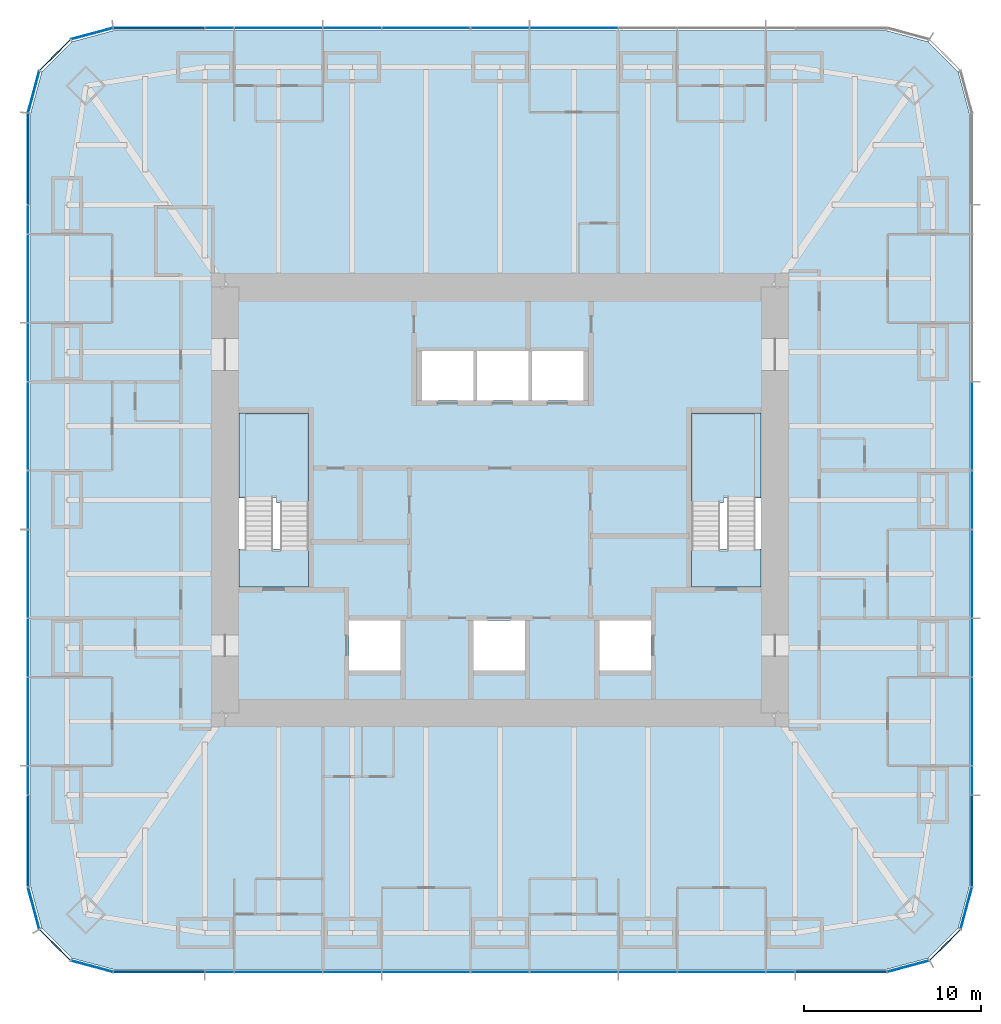
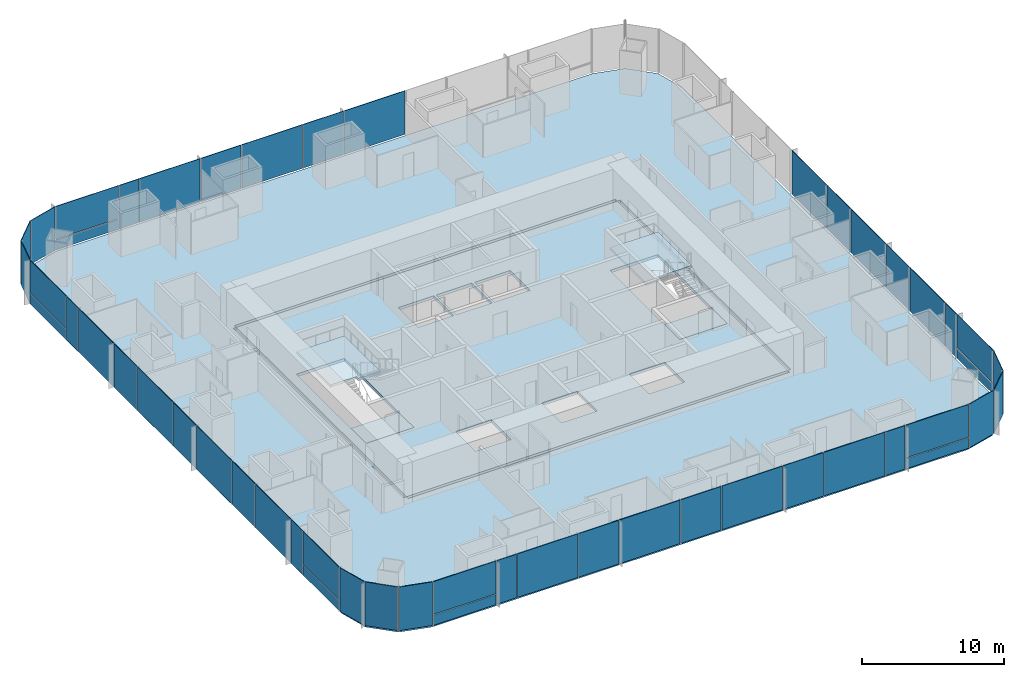
# One storey, part 7 of 12: 51 plates, 6 slabs, 9 elements without a shape of their own.
"""IFC4 building model written with IfcOpenShell, lengths in metres."""

from ifc_helpers import new_model, si_unit, direction, frame, origin, origin_2d, place, context, subcontext, project, spatial, polyline, rectangle, outline, extrude, material, layer, layer_set, type_object, element, aggregate, save


model = new_model("IFC4")

# Units and contexts
model_context = context("Model", 3, precision=1e-05, world=origin(), true_north=direction((0.0, 1.0)))
body_context = subcontext(model_context, "Body", "Model", "MODEL_VIEW")
ifc_project = project(units=[si_unit("LENGTHUNIT", "METRE"), si_unit("AREAUNIT", "SQUARE_METRE"), si_unit("VOLUMEUNIT", "CUBIC_METRE"), si_unit("PLANEANGLEUNIT", "RADIAN"), si_unit("MASSUNIT", "GRAM", prefix="KILO")], contexts=[model_context])

# Site, building, storey
site_placement = place(None, origin())
site = spatial("IfcSite", under=ifc_project, at=site_placement, CompositionType="ELEMENT")
building_placement = place(site_placement, origin())
building = spatial("IfcBuilding", under=site, at=building_placement, Name="Khuree Lantern Residences", CompositionType="ELEMENT")
storey_placement = place(building_placement, frame((0.0, 0.0, 203.25)))
storey = spatial("IfcBuildingStorey", under=building, at=storey_placement, Name="L50", CompositionType="ELEMENT", Elevation=203.25)

# Slab
ifc_material_1 = material(Name="Concrete C35/45", Category="concrete")
ifc_layer_1 = layer(ifc_material_1, 0.25)
ifc_layer_set_1 = layer_set([ifc_layer_1], Name="CFL250 CORE FLOOR SLAB 250")
slab_type_1 = type_object("IfcSlabType", Name="CFL250 CORE FLOOR SLAB 250", PredefinedType="FLOOR", material=ifc_layer_set_1)
slab_1_placement = place(storey_placement, frame((0.0, 0.0, -0.25)))
element("IfcSlab", 1, at=slab_1_placement, inside=storey, type_object=slab_type_1, Name="Core floor L50", PredefinedType="FLOOR", context=body_context, shape_type="SweptSolid", body=[
    extrude(outline(polyline([(-15.5, -12.0), (-15.5, 12.0), (15.5, 12.0), (15.5, -12.0), (-15.5, -12.0)]), holes=[polyline([(10.800048828125, 4.89990234375), (10.800048828125, -4.89990234375), (14.699951171875, -4.89990234375), (14.699951171875, 4.89990234375), (10.800048828125, 4.89990234375)]), polyline([(5.60009765625, -6.800048828125), (5.60009765625, -9.60009765625), (8.5, -9.60009765625), (8.5, -6.800048828125), (5.60009765625, -6.800048828125)]), polyline([(1.800048828125, 8.39990234375), (1.800048828125, 5.60009765625), (4.699951171875, 5.60009765625), (4.699951171875, 8.39990234375), (1.800048828125, 8.39990234375)]), polyline([(-1.300048828125, 8.39990234375), (-1.300048828125, 5.60009765625), (1.60009765625, 5.60009765625), (1.60009765625, 8.39990234375), (-1.300048828125, 8.39990234375)]), polyline([(-1.5, -6.800048828125), (-1.5, -9.60009765625), (1.39990234375, -9.60009765625), (1.39990234375, -6.800048828125), (-1.5, -6.800048828125)]), polyline([(-4.39990234375, 8.39990234375), (-4.39990234375, 5.60009765625), (-1.5, 5.60009765625), (-1.5, 8.39990234375), (-4.39990234375, 8.39990234375)]), polyline([(-8.5, -6.800048828125), (-8.5, -9.60009765625), (-5.60009765625, -9.60009765625), (-5.60009765625, -6.800048828125), (-8.5, -6.800048828125)]), polyline([(-14.699951171875, 4.89990234375), (-14.699951171875, -4.89990234375), (-10.800048828125, -4.89990234375), (-10.800048828125, 4.89990234375), (-14.699951171875, 4.89990234375)])]), origin(), (0.0, 0.0, 1.0), 0.25),
])

# Curtain wall, plates
ifc_material_2 = material(Name="Bronze anodised aluminium", Category="aluminium")
curtain_wall_type_1 = type_object("IfcCurtainWallType", Name="CW-T2 TOWER CORNER CURTAIN WALL", PredefinedType="USERDEFINED", material=ifc_material_2)
curtain_wall_1_placement = place(storey_placement, origin())
curtain_wall_1 = element("IfcCurtainWall", 2, at=curtain_wall_1_placement, inside=storey, type_object=curtain_wall_type_1, Name="L50 SOUTH-EAST CORNER CURTAIN WALL", ObjectType="Faceted corner curtain wall", PredefinedType="USERDEFINED")
ifc_material_3 = material(Name="Bronze tinted triple glazing", Category="glass")
ifc_layer_2 = layer(ifc_material_3, 0.048095703125)
ifc_layer_set_2 = layer_set([ifc_layer_2], Name="FACET PANEL P4")
plate_type_1 = type_object("IfcPlateType", Name="FACET PANEL P4", PredefinedType="CURTAIN_PANEL", material=ifc_layer_set_2)
plate_1_placement = place(storey_placement, frame((22.998046875, -26.279052734375, 0.0), z_axis=(0.0, 0.0, 1.0), x_axis=(0.965925832509, 0.258819021888, 0.0)))
plate_1 = element("IfcPlate", 3, at=plate_1_placement, type_object=plate_type_1, Name="L50 SOUTH-EAST CORNER PANEL 1.1", PredefinedType="CURTAIN_PANEL", context=body_context, shape_type="SweptSolid", body=[
    extrude(rectangle(XDim=2.40869140625, YDim=0.048095703125, at=origin_2d()), origin(), (0.0, 0.0, 1.0), 3.75),
])
plate_2_placement = place(storey_placement, frame((25.078369140625, -25.078369140625, 0.0), z_axis=(0.0, 0.0, 1.0), x_axis=(0.707106781187, 0.707106781187, 0.0)))
plate_2 = element("IfcPlate", 4, at=plate_2_placement, type_object=plate_type_1, Name="L50 SOUTH-EAST CORNER PANEL 2.1", PredefinedType="CURTAIN_PANEL", context=body_context, shape_type="SweptSolid", body=[
    extrude(rectangle(XDim=2.404541015625, YDim=0.048095703125, at=origin_2d()), origin(), (0.0, 0.0, 1.0), 3.75),
])
plate_3_placement = place(storey_placement, frame((26.279052734375, -22.998046875, 0.0), z_axis=(0.0, 0.0, 1.0), x_axis=(0.258819021888, 0.965925832509, 0.0)))
plate_3 = element("IfcPlate", 5, at=plate_3_placement, type_object=plate_type_1, Name="L50 SOUTH-EAST CORNER PANEL 3.1", PredefinedType="CURTAIN_PANEL", context=body_context, shape_type="SweptSolid", body=[
    extrude(rectangle(XDim=2.40869140625, YDim=0.048095703125, at=origin_2d()), origin(), (0.0, 0.0, 1.0), 3.75),
])
aggregate(curtain_wall_1, [plate_1, plate_2, plate_3])

curtain_wall_2_placement = place(storey_placement, origin())
curtain_wall_2 = element("IfcCurtainWall", 6, at=curtain_wall_2_placement, inside=storey, type_object=curtain_wall_type_1, Name="L50 NORTH-WEST CORNER CURTAIN WALL", ObjectType="Faceted corner curtain wall", PredefinedType="USERDEFINED")
plate_4_placement = place(storey_placement, frame((-22.998046875, 26.279052734375, 0.0), z_axis=(0.0, 0.0, 1.0), x_axis=(-0.965925832509, -0.258819021888, 0.0)))
plate_4 = element("IfcPlate", 7, at=plate_4_placement, type_object=plate_type_1, Name="L50 NORTH-WEST CORNER PANEL 29.1", PredefinedType="CURTAIN_PANEL", context=body_context, shape_type="SweptSolid", body=[
    extrude(rectangle(XDim=2.40869140625, YDim=0.048095703125, at=origin_2d()), origin(), (0.0, 0.0, 1.0), 3.75),
])
plate_5_placement = place(storey_placement, frame((-25.078369140625, 25.078369140625, 0.0), z_axis=(0.0, 0.0, 1.0), x_axis=(-0.707106781187, -0.707106781187, 0.0)))
plate_5 = element("IfcPlate", 8, at=plate_5_placement, type_object=plate_type_1, Name="L50 NORTH-WEST CORNER PANEL 30.1", PredefinedType="CURTAIN_PANEL", context=body_context, shape_type="SweptSolid", body=[
    extrude(rectangle(XDim=2.404541015625, YDim=0.048095703125, at=origin_2d()), origin(), (0.0, 0.0, 1.0), 3.75),
])
plate_6_placement = place(storey_placement, frame((-26.279052734375, 22.998046875, 0.0), z_axis=(0.0, 0.0, 1.0), x_axis=(-0.258819021888, -0.965925832509, 0.0)))
plate_6 = element("IfcPlate", 9, at=plate_6_placement, type_object=plate_type_1, Name="L50 NORTH-WEST CORNER PANEL 31.1", PredefinedType="CURTAIN_PANEL", context=body_context, shape_type="SweptSolid", body=[
    extrude(rectangle(XDim=2.40869140625, YDim=0.048095703125, at=origin_2d()), origin(), (0.0, 0.0, 1.0), 3.75),
])
aggregate(curtain_wall_2, [plate_4, plate_5, plate_6])

curtain_wall_3_placement = place(storey_placement, origin())
curtain_wall_3 = element("IfcCurtainWall", 10, at=curtain_wall_3_placement, inside=storey, type_object=curtain_wall_type_1, Name="L50 SOUTH-WEST CORNER CURTAIN WALL", ObjectType="Faceted corner curtain wall", PredefinedType="USERDEFINED")
plate_7_placement = place(storey_placement, frame((-26.279052734375, -22.998046875, 0.0), z_axis=(0.0, 0.0, 1.0), x_axis=(0.258819021888, -0.965925832509, 0.0)))
plate_7 = element("IfcPlate", 11, at=plate_7_placement, type_object=plate_type_1, Name="L50 SOUTH-WEST CORNER PANEL 43.1", PredefinedType="CURTAIN_PANEL", context=body_context, shape_type="SweptSolid", body=[
    extrude(rectangle(XDim=2.40869140625, YDim=0.048095703125, at=origin_2d()), origin(), (0.0, 0.0, 1.0), 3.75),
])
plate_8_placement = place(storey_placement, frame((-25.078369140625, -25.078369140625, 0.0), z_axis=(0.0, 0.0, 1.0), x_axis=(0.707106781187, -0.707106781187, 0.0)))
plate_8 = element("IfcPlate", 12, at=plate_8_placement, type_object=plate_type_1, Name="L50 SOUTH-WEST CORNER PANEL 44.1", PredefinedType="CURTAIN_PANEL", context=body_context, shape_type="SweptSolid", body=[
    extrude(rectangle(XDim=2.404541015625, YDim=0.048095703125, at=origin_2d()), origin(), (0.0, 0.0, 1.0), 3.75),
])
plate_9_placement = place(storey_placement, frame((-22.998046875, -26.279052734375, 0.0), z_axis=(0.0, 0.0, 1.0), x_axis=(0.965925832509, -0.258819021888, 0.0)))
plate_9 = element("IfcPlate", 13, at=plate_9_placement, type_object=plate_type_1, Name="L50 SOUTH-WEST CORNER PANEL 45.1", PredefinedType="CURTAIN_PANEL", context=body_context, shape_type="SweptSolid", body=[
    extrude(rectangle(XDim=2.40869140625, YDim=0.048095703125, at=origin_2d()), origin(), (0.0, 0.0, 1.0), 3.75),
])
aggregate(curtain_wall_3, [plate_7, plate_8, plate_9])

curtain_wall_type_2 = type_object("IfcCurtainWallType", Name="CW-T1 TOWER FACE CURTAIN WALL", PredefinedType="USERDEFINED", material=ifc_material_2)
curtain_wall_4_placement = place(storey_placement, origin())
curtain_wall_4 = element("IfcCurtainWall", 14, at=curtain_wall_4_placement, inside=storey, type_object=curtain_wall_type_2, Name="L50 EAST FACE CURTAIN WALL", ObjectType="Stick-built curtain wall", PredefinedType="USERDEFINED")
ifc_material_4 = material(Name="Bronze tinted triple glazing with a ceramic-fritted spandrel band", Category="glass")
ifc_layer_3 = layer(ifc_material_4, 0.048095703125)
ifc_layer_set_3 = layer_set([ifc_layer_3], Name="FIXED LIGHT PANEL P11")
plate_type_2 = type_object("IfcPlateType", Name="FIXED LIGHT PANEL P11", PredefinedType="CURTAIN_PANEL", material=ifc_layer_set_3)
plate_10_placement = place(storey_placement, frame((26.60009765625, -12.47998046875, 0.0), z_axis=(0.0, 0.0, 1.0), x_axis=(0.0, 1.0, 0.0)))
plate_10 = element("IfcPlate", 15, at=plate_10_placement, type_object=plate_type_2, Name="L50 EAST FACE PANEL 6.1", PredefinedType="CURTAIN_PANEL", context=body_context, shape_type="SweptSolid", body=[
    extrude(rectangle(XDim=4.927001953125, YDim=0.048095703125, at=origin_2d()), origin(), (0.0, 0.0, 1.0), 3.75),
])
plate_11_placement = place(storey_placement, frame((26.60009765625, -4.159912109375, 0.0), z_axis=(0.0, 0.0, 1.0), x_axis=(0.0, 1.0, 0.0)))
plate_11 = element("IfcPlate", 16, at=plate_11_placement, type_object=plate_type_2, Name="L50 EAST FACE PANEL 8.1", PredefinedType="CURTAIN_PANEL", context=body_context, shape_type="SweptSolid", body=[
    extrude(rectangle(XDim=4.927001953125, YDim=0.048095703125, at=origin_2d()), origin(), (0.0, 0.0, 1.0), 3.75),
])
plate_12_placement = place(storey_placement, frame((26.60009765625, 4.159912109375, 0.0), z_axis=(0.0, 0.0, 1.0), x_axis=(0.0, 1.0, 0.0)))
plate_12 = element("IfcPlate", 17, at=plate_12_placement, type_object=plate_type_2, Name="L50 EAST FACE PANEL 10.1", PredefinedType="CURTAIN_PANEL", context=body_context, shape_type="SweptSolid", body=[
    extrude(rectangle(XDim=4.927001953125, YDim=0.048095703125, at=origin_2d()), origin(), (0.0, 0.0, 1.0), 3.75),
])

curtain_wall_5_placement = place(storey_placement, origin())
curtain_wall_5 = element("IfcCurtainWall", 18, at=curtain_wall_5_placement, inside=storey, type_object=curtain_wall_type_2, Name="L50 NORTH FACE CURTAIN WALL", ObjectType="Stick-built curtain wall", PredefinedType="USERDEFINED")
plate_13_placement = place(storey_placement, frame((4.159912109375, 26.60009765625, 0.0), z_axis=(0.0, 0.0, 1.0), x_axis=(-1.0, 0.0, 0.0)))
plate_13 = element("IfcPlate", 19, at=plate_13_placement, type_object=plate_type_2, Name="L50 NORTH FACE PANEL 22.1", PredefinedType="CURTAIN_PANEL", context=body_context, shape_type="SweptSolid", body=[
    extrude(rectangle(XDim=4.927001953125, YDim=0.048095703125, at=origin_2d()), origin(), (0.0, 0.0, 1.0), 3.75),
])
plate_14_placement = place(storey_placement, frame((-4.159912109375, 26.60009765625, 0.0), z_axis=(0.0, 0.0, 1.0), x_axis=(-1.0, 0.0, 0.0)))
plate_14 = element("IfcPlate", 20, at=plate_14_placement, type_object=plate_type_2, Name="L50 NORTH FACE PANEL 24.1", PredefinedType="CURTAIN_PANEL", context=body_context, shape_type="SweptSolid", body=[
    extrude(rectangle(XDim=4.927001953125, YDim=0.048095703125, at=origin_2d()), origin(), (0.0, 0.0, 1.0), 3.75),
])
plate_15_placement = place(storey_placement, frame((-12.47998046875, 26.60009765625, 0.0), z_axis=(0.0, 0.0, 1.0), x_axis=(-1.0, 0.0, 0.0)))
plate_15 = element("IfcPlate", 21, at=plate_15_placement, type_object=plate_type_2, Name="L50 NORTH FACE PANEL 26.1", PredefinedType="CURTAIN_PANEL", context=body_context, shape_type="SweptSolid", body=[
    extrude(rectangle(XDim=4.927001953125, YDim=0.048095703125, at=origin_2d()), origin(), (0.0, 0.0, 1.0), 3.75),
])

curtain_wall_6_placement = place(storey_placement, origin())
curtain_wall_6 = element("IfcCurtainWall", 22, at=curtain_wall_6_placement, inside=storey, type_object=curtain_wall_type_2, Name="L50 WEST FACE CURTAIN WALL", ObjectType="Stick-built curtain wall", PredefinedType="USERDEFINED")
plate_16_placement = place(storey_placement, frame((-26.60009765625, 12.47998046875, 0.0), z_axis=(0.0, 0.0, 1.0), x_axis=(0.0, -1.0, 0.0)))
plate_16 = element("IfcPlate", 23, at=plate_16_placement, type_object=plate_type_2, Name="L50 WEST FACE PANEL 34.1", PredefinedType="CURTAIN_PANEL", context=body_context, shape_type="SweptSolid", body=[
    extrude(rectangle(XDim=4.927001953125, YDim=0.048095703125, at=origin_2d()), origin(), (0.0, 0.0, 1.0), 3.75),
])
plate_17_placement = place(storey_placement, frame((-26.60009765625, 4.159912109375, 0.0), z_axis=(0.0, 0.0, 1.0), x_axis=(0.0, -1.0, 0.0)))
plate_17 = element("IfcPlate", 24, at=plate_17_placement, type_object=plate_type_2, Name="L50 WEST FACE PANEL 36.1", PredefinedType="CURTAIN_PANEL", context=body_context, shape_type="SweptSolid", body=[
    extrude(rectangle(XDim=4.927001953125, YDim=0.048095703125, at=origin_2d()), origin(), (0.0, 0.0, 1.0), 3.75),
])
plate_18_placement = place(storey_placement, frame((-26.60009765625, -4.159912109375, 0.0), z_axis=(0.0, 0.0, 1.0), x_axis=(0.0, -1.0, 0.0)))
plate_18 = element("IfcPlate", 25, at=plate_18_placement, type_object=plate_type_2, Name="L50 WEST FACE PANEL 38.1", PredefinedType="CURTAIN_PANEL", context=body_context, shape_type="SweptSolid", body=[
    extrude(rectangle(XDim=4.927001953125, YDim=0.048095703125, at=origin_2d()), origin(), (0.0, 0.0, 1.0), 3.75),
])
plate_19_placement = place(storey_placement, frame((-26.60009765625, -12.47998046875, 0.0), z_axis=(0.0, 0.0, 1.0), x_axis=(0.0, -1.0, 0.0)))
plate_19 = element("IfcPlate", 26, at=plate_19_placement, type_object=plate_type_2, Name="L50 WEST FACE PANEL 40.1", PredefinedType="CURTAIN_PANEL", context=body_context, shape_type="SweptSolid", body=[
    extrude(rectangle(XDim=4.927001953125, YDim=0.048095703125, at=origin_2d()), origin(), (0.0, 0.0, 1.0), 3.75),
])

curtain_wall_7_placement = place(storey_placement, origin())
curtain_wall_7 = element("IfcCurtainWall", 27, at=curtain_wall_7_placement, inside=storey, type_object=curtain_wall_type_2, Name="L50 SOUTH FACE CURTAIN WALL", ObjectType="Stick-built curtain wall", PredefinedType="USERDEFINED")
plate_20_placement = place(storey_placement, frame((-12.47998046875, -26.60009765625, 0.0), z_axis=(0.0, 0.0, 1.0), x_axis=(1.0, 0.0, 0.0)))
plate_20 = element("IfcPlate", 28, at=plate_20_placement, type_object=plate_type_2, Name="L50 SOUTH FACE PANEL 48.1", PredefinedType="CURTAIN_PANEL", context=body_context, shape_type="SweptSolid", body=[
    extrude(rectangle(XDim=4.927001953125, YDim=0.048095703125, at=origin_2d()), origin(), (0.0, 0.0, 1.0), 3.75),
])
plate_21_placement = place(storey_placement, frame((-4.159912109375, -26.60009765625, 0.0), z_axis=(0.0, 0.0, 1.0), x_axis=(1.0, 0.0, 0.0)))
plate_21 = element("IfcPlate", 29, at=plate_21_placement, type_object=plate_type_2, Name="L50 SOUTH FACE PANEL 50.1", PredefinedType="CURTAIN_PANEL", context=body_context, shape_type="SweptSolid", body=[
    extrude(rectangle(XDim=4.927001953125, YDim=0.048095703125, at=origin_2d()), origin(), (0.0, 0.0, 1.0), 3.75),
])
plate_22_placement = place(storey_placement, frame((4.159912109375, -26.60009765625, 0.0), z_axis=(0.0, 0.0, 1.0), x_axis=(1.0, 0.0, 0.0)))
plate_22 = element("IfcPlate", 30, at=plate_22_placement, type_object=plate_type_2, Name="L50 SOUTH FACE PANEL 52.1", PredefinedType="CURTAIN_PANEL", context=body_context, shape_type="SweptSolid", body=[
    extrude(rectangle(XDim=4.927001953125, YDim=0.048095703125, at=origin_2d()), origin(), (0.0, 0.0, 1.0), 3.75),
])
plate_23_placement = place(storey_placement, frame((12.47998046875, -26.60009765625, 0.0), z_axis=(0.0, 0.0, 1.0), x_axis=(1.0, 0.0, 0.0)))
plate_23 = element("IfcPlate", 31, at=plate_23_placement, type_object=plate_type_2, Name="L50 SOUTH FACE PANEL 54.1", PredefinedType="CURTAIN_PANEL", context=body_context, shape_type="SweptSolid", body=[
    extrude(rectangle(XDim=4.927001953125, YDim=0.048095703125, at=origin_2d()), origin(), (0.0, 0.0, 1.0), 3.75),
])

# Slab
ifc_layer_4 = layer(ifc_material_1, 0.25)
ifc_layer_set_4 = layer_set([ifc_layer_4], Name="FS250 FLOOR SLAB 250")
slab_type_2 = type_object("IfcSlabType", Name="FS250 FLOOR SLAB 250", PredefinedType="FLOOR", material=ifc_layer_set_4)
slab_2_placement = place(storey_placement, frame((0.0, 0.0, -0.25)))
element("IfcSlab", 32, at=slab_2_placement, inside=storey, type_object=slab_type_2, Name="Floor slab L50", PredefinedType="FLOOR", context=body_context, shape_type="SweptSolid", body=[
    extrude(outline(polyline([(-24.125, -25.826904296875), (-25.826904296875, -24.125), (-26.449951171875, -21.800048828125), (-26.449951171875, 21.800048828125), (-25.826904296875, 24.125), (-24.125, 25.826904296875), (-21.800048828125, 26.449951171875), (21.800048828125, 26.449951171875), (24.125, 25.826904296875), (25.826904296875, 24.125), (26.449951171875, 21.800048828125), (26.449951171875, -21.800048828125), (25.826904296875, -24.125), (24.125, -25.826904296875), (21.800048828125, -26.449951171875), (-21.800048828125, -26.449951171875), (-24.125, -25.826904296875)]), holes=[polyline([(15.75, 12.0), (15.5, 12.0), (15.5, 12.25), (-15.5, 12.25), (-15.5, 12.0), (-15.75, 12.0), (-15.75, -12.0), (-15.5, -12.0), (-15.5, -12.25), (15.5, -12.25), (15.5, -12.0), (15.75, -12.0), (15.75, 12.0)])]), origin(), (0.0, 0.0, 1.0), 0.25),
])

# Plate
ifc_material_5 = material(Name="Bronze tinted triple glazing, two aluminium-framed sashes in one frame", Category="aluminium")
ifc_layer_5 = layer(ifc_material_5, 0.048095703125)
ifc_layer_set_5 = layer_set([ifc_layer_5], Name="SASH PAIR PANEL P12")
plate_type_3 = type_object("IfcPlateType", Name="SASH PAIR PANEL P12", PredefinedType="CURTAIN_PANEL", material=ifc_layer_set_5)
plate_24_placement = place(storey_placement, frame((26.60009765625, -8.320068359375, 0.0), z_axis=(0.0, 0.0, 1.0), x_axis=(0.0, 1.0, 0.0)))
plate_24 = element("IfcPlate", 33, at=plate_24_placement, type_object=plate_type_3, Name="L50 EAST FACE PANEL 7.1", PredefinedType="CURTAIN_PANEL", context=body_context, shape_type="SweptSolid", body=[
    extrude(rectangle(XDim=3.262939453125, YDim=0.048095703125, at=origin_2d()), origin(), (0.0, 0.0, 1.0), 3.75),
])

plate_25_placement = place(storey_placement, frame((26.60009765625, 0.0, 0.0), z_axis=(0.0, 0.0, 1.0), x_axis=(0.0, 1.0, 0.0)))
plate_25 = element("IfcPlate", 34, at=plate_25_placement, type_object=plate_type_3, Name="L50 EAST FACE PANEL 9.1", PredefinedType="CURTAIN_PANEL", context=body_context, shape_type="SweptSolid", body=[
    extrude(rectangle(XDim=3.262939453125, YDim=0.048095703125, at=origin_2d()), origin(), (0.0, 0.0, 1.0), 3.75),
])

plate_26_placement = place(storey_placement, frame((0.0, 26.60009765625, 0.0), z_axis=(0.0, 0.0, 1.0), x_axis=(-1.0, 0.0, 0.0)))
plate_26 = element("IfcPlate", 35, at=plate_26_placement, type_object=plate_type_3, Name="L50 NORTH FACE PANEL 23.1", PredefinedType="CURTAIN_PANEL", context=body_context, shape_type="SweptSolid", body=[
    extrude(rectangle(XDim=3.262939453125, YDim=0.048095703125, at=origin_2d()), origin(), (0.0, 0.0, 1.0), 3.75),
])

plate_27_placement = place(storey_placement, frame((-8.320068359375, 26.60009765625, 0.0), z_axis=(0.0, 0.0, 1.0), x_axis=(-1.0, 0.0, 0.0)))
plate_27 = element("IfcPlate", 36, at=plate_27_placement, type_object=plate_type_3, Name="L50 NORTH FACE PANEL 25.1", PredefinedType="CURTAIN_PANEL", context=body_context, shape_type="SweptSolid", body=[
    extrude(rectangle(XDim=3.262939453125, YDim=0.048095703125, at=origin_2d()), origin(), (0.0, 0.0, 1.0), 3.75),
])

plate_28_placement = place(storey_placement, frame((-26.60009765625, 8.320068359375, 0.0), z_axis=(0.0, 0.0, 1.0), x_axis=(0.0, -1.0, 0.0)))
plate_28 = element("IfcPlate", 37, at=plate_28_placement, type_object=plate_type_3, Name="L50 WEST FACE PANEL 35.1", PredefinedType="CURTAIN_PANEL", context=body_context, shape_type="SweptSolid", body=[
    extrude(rectangle(XDim=3.262939453125, YDim=0.048095703125, at=origin_2d()), origin(), (0.0, 0.0, 1.0), 3.75),
])

plate_29_placement = place(storey_placement, frame((-26.60009765625, 0.0, 0.0), z_axis=(0.0, 0.0, 1.0), x_axis=(0.0, -1.0, 0.0)))
plate_29 = element("IfcPlate", 38, at=plate_29_placement, type_object=plate_type_3, Name="L50 WEST FACE PANEL 37.1", PredefinedType="CURTAIN_PANEL", context=body_context, shape_type="SweptSolid", body=[
    extrude(rectangle(XDim=3.262939453125, YDim=0.048095703125, at=origin_2d()), origin(), (0.0, 0.0, 1.0), 3.75),
])

plate_30_placement = place(storey_placement, frame((-26.60009765625, -8.320068359375, 0.0), z_axis=(0.0, 0.0, 1.0), x_axis=(0.0, -1.0, 0.0)))
plate_30 = element("IfcPlate", 39, at=plate_30_placement, type_object=plate_type_3, Name="L50 WEST FACE PANEL 39.1", PredefinedType="CURTAIN_PANEL", context=body_context, shape_type="SweptSolid", body=[
    extrude(rectangle(XDim=3.262939453125, YDim=0.048095703125, at=origin_2d()), origin(), (0.0, 0.0, 1.0), 3.75),
])

plate_31_placement = place(storey_placement, frame((-8.320068359375, -26.60009765625, 0.0), z_axis=(0.0, 0.0, 1.0), x_axis=(1.0, 0.0, 0.0)))
plate_31 = element("IfcPlate", 40, at=plate_31_placement, type_object=plate_type_3, Name="L50 SOUTH FACE PANEL 49.1", PredefinedType="CURTAIN_PANEL", context=body_context, shape_type="SweptSolid", body=[
    extrude(rectangle(XDim=3.262939453125, YDim=0.048095703125, at=origin_2d()), origin(), (0.0, 0.0, 1.0), 3.75),
])

plate_32_placement = place(storey_placement, frame((0.0, -26.60009765625, 0.0), z_axis=(0.0, 0.0, 1.0), x_axis=(1.0, 0.0, 0.0)))
plate_32 = element("IfcPlate", 41, at=plate_32_placement, type_object=plate_type_3, Name="L50 SOUTH FACE PANEL 51.1", PredefinedType="CURTAIN_PANEL", context=body_context, shape_type="SweptSolid", body=[
    extrude(rectangle(XDim=3.262939453125, YDim=0.048095703125, at=origin_2d()), origin(), (0.0, 0.0, 1.0), 3.75),
])

plate_33_placement = place(storey_placement, frame((8.320068359375, -26.60009765625, 0.0), z_axis=(0.0, 0.0, 1.0), x_axis=(1.0, 0.0, 0.0)))
plate_33 = element("IfcPlate", 42, at=plate_33_placement, type_object=plate_type_3, Name="L50 SOUTH FACE PANEL 53.1", PredefinedType="CURTAIN_PANEL", context=body_context, shape_type="SweptSolid", body=[
    extrude(rectangle(XDim=3.262939453125, YDim=0.048095703125, at=origin_2d()), origin(), (0.0, 0.0, 1.0), 3.75),
])

ifc_material_6 = material(Name="Bronze tinted triple glazing, aluminium-framed sash", Category="aluminium")
ifc_layer_6 = layer(ifc_material_6, 0.048095703125)
ifc_layer_set_6 = layer_set([ifc_layer_6], Name="SASH PANEL P3")
plate_type_4 = type_object("IfcPlateType", Name="SASH PANEL P3", PredefinedType="CURTAIN_PANEL", material=ifc_layer_set_6)
plate_34_placement = place(storey_placement, frame((26.60009765625, -15.80810546875, 0.0), z_axis=(0.0, 0.0, 1.0), x_axis=(0.0, 1.0, 0.0)))
plate_34 = element("IfcPlate", 43, at=plate_34_placement, type_object=plate_type_4, Name="L50 EAST FACE PANEL 5.1", PredefinedType="CURTAIN_PANEL", context=body_context, shape_type="SweptSolid", body=[
    extrude(rectangle(XDim=1.59912109375, YDim=0.048095703125, at=origin_2d()), origin(), (0.0, 0.0, 1.0), 3.75),
])

plate_35_placement = place(storey_placement, frame((-15.80810546875, 26.60009765625, 0.0), z_axis=(0.0, 0.0, 1.0), x_axis=(-1.0, 0.0, 0.0)))
plate_35 = element("IfcPlate", 44, at=plate_35_placement, type_object=plate_type_4, Name="L50 NORTH FACE PANEL 27.1", PredefinedType="CURTAIN_PANEL", context=body_context, shape_type="SweptSolid", body=[
    extrude(rectangle(XDim=1.59912109375, YDim=0.048095703125, at=origin_2d()), origin(), (0.0, 0.0, 1.0), 3.75),
])

plate_36_placement = place(storey_placement, frame((-26.60009765625, 15.80810546875, 0.0), z_axis=(0.0, 0.0, 1.0), x_axis=(0.0, -1.0, 0.0)))
plate_36 = element("IfcPlate", 45, at=plate_36_placement, type_object=plate_type_4, Name="L50 WEST FACE PANEL 33.1", PredefinedType="CURTAIN_PANEL", context=body_context, shape_type="SweptSolid", body=[
    extrude(rectangle(XDim=1.59912109375, YDim=0.048095703125, at=origin_2d()), origin(), (0.0, 0.0, 1.0), 3.75),
])

plate_37_placement = place(storey_placement, frame((-26.60009765625, -15.80810546875, 0.0), z_axis=(0.0, 0.0, 1.0), x_axis=(0.0, -1.0, 0.0)))
plate_37 = element("IfcPlate", 46, at=plate_37_placement, type_object=plate_type_4, Name="L50 WEST FACE PANEL 41.1", PredefinedType="CURTAIN_PANEL", context=body_context, shape_type="SweptSolid", body=[
    extrude(rectangle(XDim=1.59912109375, YDim=0.048095703125, at=origin_2d()), origin(), (0.0, 0.0, 1.0), 3.75),
])

plate_38_placement = place(storey_placement, frame((-15.80810546875, -26.60009765625, 0.0), z_axis=(0.0, 0.0, 1.0), x_axis=(1.0, 0.0, 0.0)))
plate_38 = element("IfcPlate", 47, at=plate_38_placement, type_object=plate_type_4, Name="L50 SOUTH FACE PANEL 47.1", PredefinedType="CURTAIN_PANEL", context=body_context, shape_type="SweptSolid", body=[
    extrude(rectangle(XDim=1.59912109375, YDim=0.048095703125, at=origin_2d()), origin(), (0.0, 0.0, 1.0), 3.75),
])

plate_39_placement = place(storey_placement, frame((15.80810546875, -26.60009765625, 0.0), z_axis=(0.0, 0.0, 1.0), x_axis=(1.0, 0.0, 0.0)))
plate_39 = element("IfcPlate", 48, at=plate_39_placement, type_object=plate_type_4, Name="L50 SOUTH FACE PANEL 55.1", PredefinedType="CURTAIN_PANEL", context=body_context, shape_type="SweptSolid", body=[
    extrude(rectangle(XDim=1.59912109375, YDim=0.048095703125, at=origin_2d()), origin(), (0.0, 0.0, 1.0), 3.75),
])

ifc_material_7 = material(Name="Bronze anodised aluminium insulated spandrel", Category="aluminium")
ifc_layer_7 = layer(ifc_material_7, 0.06005859375)
ifc_layer_set_7 = layer_set([ifc_layer_7], Name="SPANDREL PANEL P2")
plate_type_5 = type_object("IfcPlateType", Name="SPANDREL PANEL P2", PredefinedType="CURTAIN_PANEL", material=ifc_layer_set_7)
plate_40_placement = place(storey_placement, frame((26.60009765625, -19.2177734375, 0.0), z_axis=(0.0, 0.0, 1.0), x_axis=(0.0, 1.0, 0.0)))
plate_40 = element("IfcPlate", 49, at=plate_40_placement, type_object=plate_type_5, Name="L50 EAST FACE PANEL 4.1", PredefinedType="CURTAIN_PANEL", context=body_context, shape_type="SweptSolid", body=[
    extrude(rectangle(XDim=5.0908203125, YDim=0.06005859375, at=origin_2d()), origin(), (0.0, 0.0, 1.0), 0.867431640625),
])

plate_41_placement = place(storey_placement, frame((-19.2177734375, 26.60009765625, 0.0), z_axis=(0.0, 0.0, 1.0), x_axis=(-1.0, 0.0, 0.0)))
plate_41 = element("IfcPlate", 50, at=plate_41_placement, type_object=plate_type_5, Name="L50 NORTH FACE PANEL 28.1", PredefinedType="CURTAIN_PANEL", context=body_context, shape_type="SweptSolid", body=[
    extrude(rectangle(XDim=5.0908203125, YDim=0.06005859375, at=origin_2d()), origin(), (0.0, 0.0, 1.0), 0.867431640625),
])

plate_42_placement = place(storey_placement, frame((-26.60009765625, 19.2177734375, 0.0), z_axis=(0.0, 0.0, 1.0), x_axis=(0.0, -1.0, 0.0)))
plate_42 = element("IfcPlate", 51, at=plate_42_placement, type_object=plate_type_5, Name="L50 WEST FACE PANEL 32.1", PredefinedType="CURTAIN_PANEL", context=body_context, shape_type="SweptSolid", body=[
    extrude(rectangle(XDim=5.0908203125, YDim=0.06005859375, at=origin_2d()), origin(), (0.0, 0.0, 1.0), 0.867431640625),
])

plate_43_placement = place(storey_placement, frame((-26.60009765625, -19.2177734375, 0.0), z_axis=(0.0, 0.0, 1.0), x_axis=(0.0, -1.0, 0.0)))
plate_43 = element("IfcPlate", 52, at=plate_43_placement, type_object=plate_type_5, Name="L50 WEST FACE PANEL 42.1", PredefinedType="CURTAIN_PANEL", context=body_context, shape_type="SweptSolid", body=[
    extrude(rectangle(XDim=5.0908203125, YDim=0.06005859375, at=origin_2d()), origin(), (0.0, 0.0, 1.0), 0.867431640625),
])

plate_44_placement = place(storey_placement, frame((-19.2177734375, -26.60009765625, 0.0), z_axis=(0.0, 0.0, 1.0), x_axis=(1.0, 0.0, 0.0)))
plate_44 = element("IfcPlate", 53, at=plate_44_placement, type_object=plate_type_5, Name="L50 SOUTH FACE PANEL 46.1", PredefinedType="CURTAIN_PANEL", context=body_context, shape_type="SweptSolid", body=[
    extrude(rectangle(XDim=5.0908203125, YDim=0.06005859375, at=origin_2d()), origin(), (0.0, 0.0, 1.0), 0.867431640625),
])

plate_45_placement = place(storey_placement, frame((19.2177734375, -26.60009765625, 0.0), z_axis=(0.0, 0.0, 1.0), x_axis=(1.0, 0.0, 0.0)))
plate_45 = element("IfcPlate", 54, at=plate_45_placement, type_object=plate_type_5, Name="L50 SOUTH FACE PANEL 56.1", PredefinedType="CURTAIN_PANEL", context=body_context, shape_type="SweptSolid", body=[
    extrude(rectangle(XDim=5.0908203125, YDim=0.06005859375, at=origin_2d()), origin(), (0.0, 0.0, 1.0), 0.867431640625),
])

# Stair, slabs
ifc_material_8 = material(Name="Concrete C40/50", Category="concrete")
stair_type = type_object("IfcStairType", Name="STAIR ST1 HALF TURN 3600", PredefinedType="HALF_TURN_STAIR", material=ifc_material_8)
stair_1_placement = place(storey_placement, origin())
stair_1 = element("IfcStair", 55, at=stair_1_placement, inside=storey, type_object=stair_type, Name="Stair ST1", PredefinedType="HALF_TURN_STAIR")
ifc_layer_8 = layer(ifc_material_8, 0.199951171875)
ifc_layer_set_8 = layer_set([ifc_layer_8], Name="STAIR LANDING SL1 200")
slab_type_3 = type_object("IfcSlabType", Name="STAIR LANDING SL1 200", PredefinedType="LANDING", material=ifc_layer_set_8)
slab_3_placement = place(storey_placement, frame((0.0, 0.0, -0.199951171875)))
slab_3 = element("IfcSlab", 56, at=slab_3_placement, type_object=slab_type_3, Name="ST1 landing 1", PredefinedType="LANDING", context=body_context, shape_type="SweptSolid", body=[
    extrude(outline(polyline([(-14.699951171875, -4.89990234375), (-10.800048828125, -4.89990234375), (-10.800048828125, -2.760009765625), (-14.699951171875, -2.760009765625), (-14.699951171875, -4.89990234375)])), origin(), (0.0, 0.0, 1.0), 0.199951171875),
])
slab_4_placement = place(storey_placement, frame((0.0, 0.0, 1.756591796875)))
slab_4 = element("IfcSlab", 57, at=slab_4_placement, type_object=slab_type_3, Name="ST1 landing 2", PredefinedType="LANDING", context=body_context, shape_type="SweptSolid", body=[
    extrude(outline(polyline([(-14.699951171875, 0.1201171875), (-14.699951171875, 4.89990234375), (-10.800048828125, 4.89990234375), (-10.800048828125, -0.159912109375), (-12.60009765625, -0.159912109375), (-12.60009765625, 0.1201171875), (-14.699951171875, 0.1201171875)])), origin(), (0.0, 0.0, 1.0), 0.199951171875),
])
aggregate(stair_1, [slab_3, slab_4])

stair_2_placement = place(storey_placement, origin())
stair_2 = element("IfcStair", 58, at=stair_2_placement, inside=storey, type_object=stair_type, Name="Stair ST2", PredefinedType="HALF_TURN_STAIR")
slab_5_placement = place(storey_placement, frame((0.0, 0.0, -0.199951171875)))
slab_5 = element("IfcSlab", 59, at=slab_5_placement, type_object=slab_type_3, Name="ST2 landing 1", PredefinedType="LANDING", context=body_context, shape_type="SweptSolid", body=[
    extrude(outline(polyline([(10.800048828125, -4.89990234375), (14.699951171875, -4.89990234375), (14.699951171875, -2.760009765625), (10.800048828125, -2.760009765625), (10.800048828125, -4.89990234375)])), origin(), (0.0, 0.0, 1.0), 0.199951171875),
])
slab_6_placement = place(storey_placement, frame((0.0, 0.0, 1.756591796875)))
slab_6 = element("IfcSlab", 60, at=slab_6_placement, type_object=slab_type_3, Name="ST2 landing 2", PredefinedType="LANDING", context=body_context, shape_type="SweptSolid", body=[
    extrude(outline(polyline([(14.699951171875, 4.89990234375), (14.699951171875, 0.1201171875), (12.60009765625, 0.1201171875), (12.60009765625, -0.159912109375), (10.800048828125, -0.159912109375), (10.800048828125, 4.89990234375), (14.699951171875, 4.89990234375)])), origin(), (0.0, 0.0, 1.0), 0.199951171875),
])
aggregate(stair_2, [slab_5, slab_6])

# Plate
ifc_layer_9 = layer(ifc_material_3, 0.048095703125)
ifc_layer_set_9 = layer_set([ifc_layer_9], Name="VISION PANEL P1")
plate_type_6 = type_object("IfcPlateType", Name="VISION PANEL P1", PredefinedType="CURTAIN_PANEL", material=ifc_layer_set_9)
plate_46_placement = place(storey_placement, frame((26.60009765625, -19.21826171875, 0.9326171875), z_axis=(0.0, 0.0, 1.0), x_axis=(0.0, 1.0, 0.0)))
plate_46 = element("IfcPlate", 61, at=plate_46_placement, type_object=plate_type_6, Name="L50 EAST FACE PANEL 4.2", PredefinedType="CURTAIN_PANEL", context=body_context, shape_type="SweptSolid", body=[
    extrude(rectangle(XDim=5.091552734375, YDim=0.048095703125, at=origin_2d()), origin(), (0.0, 0.0, 1.0), 2.8173828125),
])

aggregate(curtain_wall_4, [plate_40, plate_46, plate_34, plate_10, plate_24, plate_11, plate_25, plate_12])

plate_47_placement = place(storey_placement, frame((-19.21826171875, 26.60009765625, 0.9326171875), z_axis=(0.0, 0.0, 1.0), x_axis=(-1.0, 0.0, 0.0)))
plate_47 = element("IfcPlate", 62, at=plate_47_placement, type_object=plate_type_6, Name="L50 NORTH FACE PANEL 28.2", PredefinedType="CURTAIN_PANEL", context=body_context, shape_type="SweptSolid", body=[
    extrude(rectangle(XDim=5.091552734375, YDim=0.048095703125, at=origin_2d()), origin(), (0.0, 0.0, 1.0), 2.8173828125),
])

aggregate(curtain_wall_5, [plate_13, plate_26, plate_14, plate_27, plate_15, plate_35, plate_41, plate_47])

plate_48_placement = place(storey_placement, frame((-26.60009765625, 19.21826171875, 0.9326171875), z_axis=(0.0, 0.0, 1.0), x_axis=(0.0, -1.0, 0.0)))
plate_48 = element("IfcPlate", 63, at=plate_48_placement, type_object=plate_type_6, Name="L50 WEST FACE PANEL 32.2", PredefinedType="CURTAIN_PANEL", context=body_context, shape_type="SweptSolid", body=[
    extrude(rectangle(XDim=5.091552734375, YDim=0.048095703125, at=origin_2d()), origin(), (0.0, 0.0, 1.0), 2.8173828125),
])

plate_49_placement = place(storey_placement, frame((-26.60009765625, -19.21826171875, 0.9326171875), z_axis=(0.0, 0.0, 1.0), x_axis=(0.0, -1.0, 0.0)))
plate_49 = element("IfcPlate", 64, at=plate_49_placement, type_object=plate_type_6, Name="L50 WEST FACE PANEL 42.2", PredefinedType="CURTAIN_PANEL", context=body_context, shape_type="SweptSolid", body=[
    extrude(rectangle(XDim=5.091552734375, YDim=0.048095703125, at=origin_2d()), origin(), (0.0, 0.0, 1.0), 2.8173828125),
])

aggregate(curtain_wall_6, [plate_42, plate_48, plate_36, plate_16, plate_28, plate_17, plate_29, plate_18, plate_30, plate_19, plate_37, plate_43, plate_49])

plate_50_placement = place(storey_placement, frame((-19.21826171875, -26.60009765625, 0.9326171875), z_axis=(0.0, 0.0, 1.0), x_axis=(1.0, 0.0, 0.0)))
plate_50 = element("IfcPlate", 65, at=plate_50_placement, type_object=plate_type_6, Name="L50 SOUTH FACE PANEL 46.2", PredefinedType="CURTAIN_PANEL", context=body_context, shape_type="SweptSolid", body=[
    extrude(rectangle(XDim=5.091552734375, YDim=0.048095703125, at=origin_2d()), origin(), (0.0, 0.0, 1.0), 2.8173828125),
])

plate_51_placement = place(storey_placement, frame((19.21826171875, -26.60009765625, 0.9326171875), z_axis=(0.0, 0.0, 1.0), x_axis=(1.0, 0.0, 0.0)))
plate_51 = element("IfcPlate", 66, at=plate_51_placement, type_object=plate_type_6, Name="L50 SOUTH FACE PANEL 56.2", PredefinedType="CURTAIN_PANEL", context=body_context, shape_type="SweptSolid", body=[
    extrude(rectangle(XDim=5.091552734375, YDim=0.048095703125, at=origin_2d()), origin(), (0.0, 0.0, 1.0), 2.8173828125),
])

aggregate(curtain_wall_7, [plate_44, plate_50, plate_38, plate_20, plate_31, plate_21, plate_32, plate_22, plate_33, plate_23, plate_39, plate_45, plate_51])

save(model, "model.ifc")
